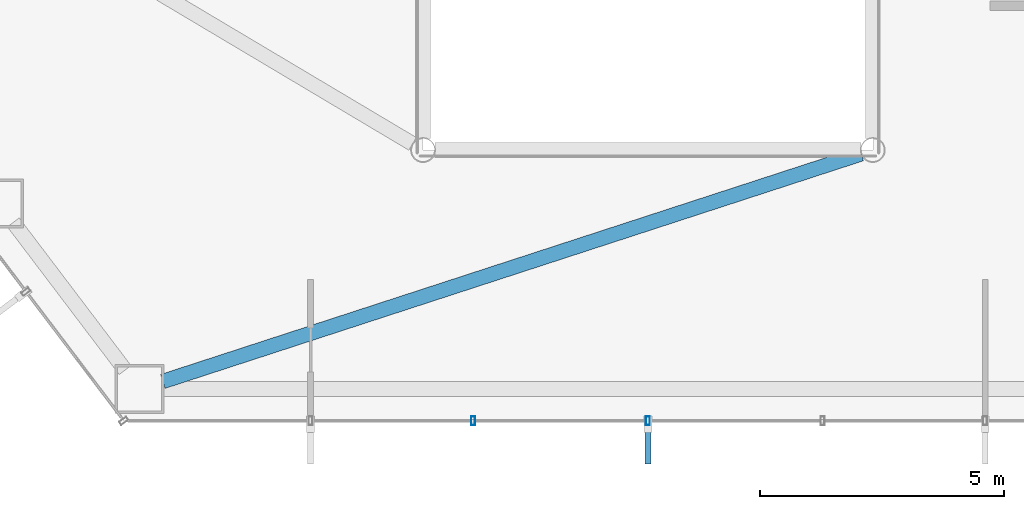
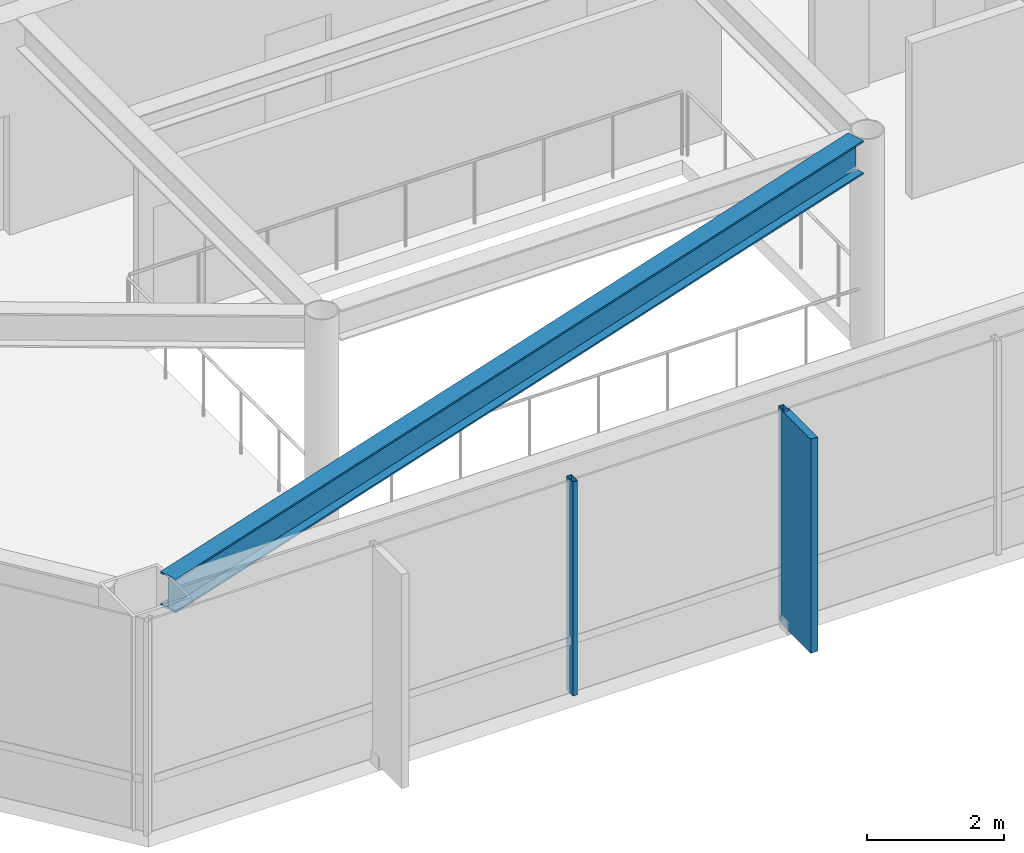
# One storey, part 6 of 25: 3 members, 1 beam, 1 element without a shape of its own.
"""IFC4 building model written with IfcOpenShell, lengths in metres."""

import ifcopenshell
import ifcopenshell.guid

model = None  # the IFC model being written
_history = None  # IfcOwnerHistory: only IFC2X3 demands one
_inside = {}  # id of a spatial element -> (the spatial element, [elements in it])
_under = {}  # id of a project, library or spatial element -> (it, [spatial elements below it])
_declared = {}  # id of a project -> (the project, [libraries it declares])
_typed = {}  # id of a type object -> (the type object, [elements of that type])
_made_of = {}  # id of a material, layer set ... -> (it, [elements and type objects made of it])


def new_model(schema):
    """Start an empty IFC model of exactly this schema.

    Asked for "IFC4X3", IfcOpenShell would pick the latest addendum, in which some entities
    have other attributes; the version numbers below select the first issue.
    IFC2X3 requires an IfcOwnerHistory on every rooted entity: one is made here for all.
    """
    global model, _history
    if schema == "IFC4X3":
        model = ifcopenshell.file(schema_version=(4, 3, 0, 0))
    else:
        model = ifcopenshell.file(schema=schema)
    _inside.clear()
    _under.clear()
    _declared.clear()
    _typed.clear()
    _made_of.clear()
    _history = None
    if model.schema == "IFC2X3":
        org = make("IfcOrganization", Name="unknown")
        user = make(
            "IfcPersonAndOrganization",
            ThePerson=make("IfcPerson", FamilyName="unknown"),
            TheOrganization=org,
        )
        app = make(
            "IfcApplication",
            ApplicationDeveloper=org,
            Version="unknown",
            ApplicationFullName="unknown",
            ApplicationIdentifier="unknown",
        )
        _history = make(
            "IfcOwnerHistory",
            OwningUser=user,
            OwningApplication=app,
            ChangeAction="ADDED",
            CreationDate=0,
        )
    return model


def make(cls, **values):
    """One entity of the class cls with the attributes given. An attribute that is None is left unset."""
    return model.create_entity(
        cls, **{name: value for name, value in values.items() if value is not None}
    )


def rooted(cls, **values):
    """An entity with a GlobalId (a new one), such as an element, a storey or a relation."""
    return make(cls, GlobalId=ifcopenshell.guid.new(), OwnerHistory=_history, **values)


def si_unit(unit_type, name, prefix=None):
    """IfcSIUnit, for example si_unit("LENGTHUNIT", "METRE", prefix="MILLI")."""
    return make("IfcSIUnit", UnitType=unit_type, Prefix=prefix, Name=name)


def assignment(units):
    """IfcUnitAssignment: the units of a project."""
    return None if units is None else make("IfcUnitAssignment", Units=units)


def point(xyz):
    """IfcCartesianPoint."""
    return None if xyz is None else make("IfcCartesianPoint", Coordinates=xyz)


def direction(xyz):
    """IfcDirection."""
    return None if xyz is None else make("IfcDirection", DirectionRatios=xyz)


def frame(location, z_axis=None, x_axis=None):
    """IfcAxis2Placement3D, a coordinate frame: its origin and axes. An axis left out is left unset."""
    return make(
        "IfcAxis2Placement3D",
        Location=point(location),
        Axis=direction(z_axis),
        RefDirection=direction(x_axis),
    )


def frame_2d(location, x_axis=None):
    """IfcAxis2Placement2D, a coordinate frame in the plane: its origin and x axis."""
    return make(
        "IfcAxis2Placement2D", Location=point(location), RefDirection=direction(x_axis)
    )


def origin():
    """The frame at (0, 0, 0) with its axes left unset."""
    return frame((0.0, 0.0, 0.0))


def origin_2d():
    """The frame at (0, 0) in the plane with its x axis left unset."""
    return frame_2d((0.0, 0.0))


def place(relative_to, where):
    """IfcLocalPlacement: puts the frame where relative to a parent placement (None: the world)."""
    return make(
        "IfcLocalPlacement", PlacementRelTo=relative_to, RelativePlacement=where
    )


def context(
    kind, dimensions, precision=None, world=None, true_north=None, identifier=None
):
    """IfcGeometricRepresentationContext, for example the 3D "Model" context."""
    return make(
        "IfcGeometricRepresentationContext",
        ContextIdentifier=identifier,
        ContextType=kind,
        CoordinateSpaceDimension=dimensions,
        Precision=precision,
        WorldCoordinateSystem=world,
        TrueNorth=true_north,
    )


def subcontext(parent, identifier, kind, view, scale=None):
    """IfcGeometricRepresentationSubContext, for example "Body" below "Model"."""
    return make(
        "IfcGeometricRepresentationSubContext",
        ContextIdentifier=identifier,
        ContextType=kind,
        ParentContext=parent,
        TargetScale=scale,
        TargetView=view,
    )


def project(units=None, contexts=None):
    """IfcProject with its units and contexts."""
    return rooted(
        "IfcProject",
        Name="project",
        RepresentationContexts=contexts,
        UnitsInContext=assignment(units),
    )


def spatial(cls, under=None, at=None, **own):
    """A site, building, storey or space (cls), placed at a placement, below another one or the project."""
    s = rooted(cls, ObjectPlacement=at, **own)
    if under is not None:
        _under.setdefault(under.id(), (under, []))[1].append(s)
    return s


def profile(cls, at=None, kind="AREA", **sizes):
    """A parametric profile (cls). Its sizes go by their IFC names, for example OverallWidth=200.0."""
    return make(cls, ProfileType=kind, Position=at, **sizes)


def rectangle(**sizes):
    """IfcRectangleProfileDef."""
    return profile("IfcRectangleProfileDef", **sizes)


def hollow_rectangle(**sizes):
    """IfcRectangleHollowProfileDef."""
    return profile("IfcRectangleHollowProfileDef", **sizes)


def i_section(**sizes):
    """IfcIShapeProfileDef."""
    return profile("IfcIShapeProfileDef", **sizes)


def extrude(swept, where, along, depth):
    """IfcExtrudedAreaSolid: the profile swept, set in the frame where, extruded along a direction by depth."""
    return make(
        "IfcExtrudedAreaSolid",
        SweptArea=swept,
        Position=where,
        ExtrudedDirection=direction(along),
        Depth=depth,
    )


def shape(context_of_items, identifier, shape_type, items):
    """IfcShapeRepresentation: the items that make up one representation, for example the "Body"."""
    return make(
        "IfcShapeRepresentation",
        ContextOfItems=context_of_items,
        RepresentationIdentifier=identifier,
        RepresentationType=shape_type,
        Items=items,
    )


def material(Name=None, Category=None):
    """IfcMaterial."""
    return make("IfcMaterial", Name=Name, Category=Category)


def layer(
    of_material, thickness, ventilated=None, Name=None, Category=None, Priority=None
):
    """IfcMaterialLayer: one layer of a wall or slab, of a material (None: an air gap)."""
    return make(
        "IfcMaterialLayer",
        Material=of_material,
        LayerThickness=thickness,
        IsVentilated=ventilated,
        Name=Name,
        Category=Category,
        Priority=Priority,
    )


def layer_set(layers, Name=None):
    """IfcMaterialLayerSet."""
    return make("IfcMaterialLayerSet", MaterialLayers=layers, LayerSetName=Name)


def material_profile(
    of_material, cross_section, Name=None, Category=None, Priority=None
):
    """IfcMaterialProfile: a cross section and its material."""
    return make(
        "IfcMaterialProfile",
        Name=Name,
        Material=of_material,
        Profile=cross_section,
        Priority=Priority,
        Category=Category,
    )


def profile_set(profiles, Name=None, composite=None):
    """IfcMaterialProfileSet."""
    return make(
        "IfcMaterialProfileSet",
        Name=Name,
        MaterialProfiles=profiles,
        CompositeProfile=composite,
    )


def made_of(thing, what):
    """Note that an element or type object is made of a material, layer set ...; save() writes the relation."""
    if what is not None:
        _made_of.setdefault(what.id(), (what, []))[1].append(thing)
    return thing


def type_object(cls, material=None, **own):
    """A type object (cls), such as IfcWallType, which elements share."""
    return made_of(rooted(cls, **own), material)


def element(
    cls,
    number,
    at=None,
    inside=None,
    cuts=None,
    type_object=None,
    material=None,
    context=None,
    identifier="Body",
    shape_type=None,
    held_by="IfcProductDefinitionShape",
    body=None,
    shapes=None,
    **own,
):
    """One element of the class cls, such as IfcWall. Its Tag is "e" and its number.

    at: its placement. inside: the storey or other place that contains it. cuts: it is an
    opening in that element (IfcRelVoidsElement). A single representation is given by context,
    identifier, shape_type and body (its items); several are given by shapes. held_by: the class
    of the entity that holds the representations. save() writes the other relations.
    """
    e = rooted(cls, Tag="e%d" % number, ObjectPlacement=at, **own)
    if body is not None:
        shapes = [shape(context, identifier, shape_type, body)]
    if shapes is not None:
        e.Representation = make(held_by, Representations=shapes)
    if inside is not None:
        _inside.setdefault(inside.id(), (inside, []))[1].append(e)
    if cuts is not None:
        rooted(
            "IfcRelVoidsElement", RelatingBuildingElement=cuts, RelatedOpeningElement=e
        )
    if type_object is not None:
        _typed.setdefault(type_object.id(), (type_object, []))[1].append(e)
    return made_of(e, material)


def aggregate(whole, parts):
    """IfcRelAggregates: a whole, such as a stair, and the parts it consists of."""
    return rooted("IfcRelAggregates", RelatingObject=whole, RelatedObjects=parts)


def save(model, path):
    """Write the relations noted so far, then the file.

    IfcRelAggregates (storeys below a building ...), IfcRelContainedInSpatialStructure (elements
    in a storey), IfcRelDefinesByType, IfcRelAssociatesMaterial and IfcRelDeclares: one each for
    every whole, place, type object, material and project.
    """
    for whole, parts in _under.values():
        aggregate(whole, parts)
    for where, things in _inside.values():
        rooted(
            "IfcRelContainedInSpatialStructure",
            RelatedElements=things,
            RelatingStructure=where,
        )
    for kind, things in _typed.values():
        rooted("IfcRelDefinesByType", RelatedObjects=things, RelatingType=kind)
    for what, things in _made_of.values():
        rooted("IfcRelAssociatesMaterial", RelatedObjects=things, RelatingMaterial=what)
    for by, libraries in _declared.values():
        rooted("IfcRelDeclares", RelatingContext=by, RelatedDefinitions=libraries)
    model.write(path)


model = new_model("IFC4")

# Units and contexts
model_context = context("Model", 3, precision=1e-05, world=origin(), true_north=direction((0.0, 1.0)))
body_context = subcontext(model_context, "Body", "Model", "MODEL_VIEW")
ifc_project = project(units=[si_unit("LENGTHUNIT", "METRE"), si_unit("AREAUNIT", "SQUARE_METRE"), si_unit("VOLUMEUNIT", "CUBIC_METRE"), si_unit("PLANEANGLEUNIT", "RADIAN"), si_unit("MASSUNIT", "GRAM", prefix="KILO")], contexts=[model_context])

# Site, building, storey
site_placement = place(None, origin())
site = spatial("IfcSite", under=ifc_project, at=site_placement, CompositionType="ELEMENT")
building_placement = place(site_placement, origin())
building = spatial("IfcBuilding", under=site, at=building_placement, Name="Zarrinselat Tower", CompositionType="ELEMENT")
storey_placement = place(building_placement, frame((0.0, 0.0, 56.10009765625)))
storey = spatial("IfcBuildingStorey", under=building, at=storey_placement, Name="L13", CompositionType="ELEMENT", Elevation=56.10009765625)

# Beam
ifc_material_1 = material(Name="Steel S355J2", Category="steel")
ifc_material_profile_1 = material_profile(ifc_material_1, i_section(OverallWidth=0.300048828125, OverallDepth=0.60009765625, WebThickness=0.015380859375, FlangeThickness=0.030029296875, at=origin_2d()), Name="HEB 600")
ifc_profile_set_1 = profile_set([ifc_material_profile_1], Name="Steel S355J2")
beam_type = type_object("IfcBeamType", Name="BM-HEB600", PredefinedType="BEAM", material=ifc_profile_set_1)
beam_placement = place(storey_placement, frame((28.477783203125, 19.667236328125, 3.52001953125), z_axis=(0.950782616269, 0.309858704251, 0.0), x_axis=(-0.309858704251, 0.950782616269, 0.0)))
element("IfcBeam", 1, at=beam_placement, inside=storey, type_object=beam_type, Name="L13 Radial Primary Girder RG10", PredefinedType="BEAM", context=body_context, shape_type="SweptSolid", body=[
    extrude(i_section(OverallWidth=0.300048828125, OverallDepth=0.60009765625, WebThickness=0.015380859375, FlangeThickness=0.030029296875, at=origin_2d()), origin(), (0.0, 0.0, 1.0), 15.02392578125),
])

# Curtain wall, members
ifc_material_2 = material(Name="Extruded Aluminium Alloy EN AW-6063 T6", Category="aluminium")
ifc_layer = layer(ifc_material_2, 0.18505859375)
ifc_layer_set = layer_set([ifc_layer], Name="Extruded Aluminium Alloy EN AW-6063 T6")
curtain_wall_type = type_object("IfcCurtainWallType", Name="CWS-OFF", PredefinedType="NOTDEFINED", material=ifc_layer_set)
curtain_wall_placement = place(storey_placement, origin())
curtain_wall = element("IfcCurtainWall", 2, at=curtain_wall_placement, inside=storey, type_object=curtain_wall_type, Name="L13 Unitised Curtain Wall CW-L13-E04", PredefinedType="NOTDEFINED")
ifc_material_3 = material(Name="Extruded Aluminium Alloy EN AW-6063 T6", Category="aluminium")
ifc_material_profile_2 = material_profile(ifc_material_3, hollow_rectangle(XDim=0.080078125, YDim=0.179931640625, WallThickness=0.0048828125, at=origin_2d()), Name="RHS 180x80x5")
ifc_profile_set_2 = profile_set([ifc_material_profile_2], Name="Extruded Aluminium Alloy EN AW-6063 T6")
member_type_1 = type_object("IfcMemberType", Name="MEM-CW-MUL", PredefinedType="MULLION", material=ifc_profile_set_2)
member_1_placement = place(storey_placement, frame((34.82568359375, 18.86181640625, 0.0), z_axis=(0.0, 0.0, 1.0), x_axis=(1.0, 0.0, 0.0)))
member_1 = element("IfcMember", 3, at=member_1_placement, type_object=member_type_1, Name="CW-L13-E04 Mullion 2", PredefinedType="MULLION", context=body_context, shape_type="SweptSolid", body=[
    extrude(hollow_rectangle(XDim=0.080078125, YDim=0.179931640625, WallThickness=0.0048828125, at=origin_2d()), origin(), (0.0, 0.0, 1.0), 3.81982421875),
])
member_2_placement = place(storey_placement, frame((38.39990234375, 18.86181640625, 0.0), z_axis=(0.0, 0.0, 1.0), x_axis=(1.0, 0.0, 0.0)))
member_2 = element("IfcMember", 4, at=member_2_placement, type_object=member_type_1, Name="CW-L13-E04 Mullion 3", PredefinedType="MULLION", context=body_context, shape_type="SweptSolid", body=[
    extrude(hollow_rectangle(XDim=0.080078125, YDim=0.179931640625, WallThickness=0.0048828125, at=origin_2d()), origin(), (0.0, 0.0, 1.0), 3.81982421875),
])
ifc_material_4 = material(Name="Honed Cream Travertine Stone", Category="masonry")
ifc_material_profile_3 = material_profile(ifc_material_4, rectangle(XDim=0.1201171875, YDim=0.85009765625, at=origin_2d()), Name="FIN 850x120")
ifc_profile_set_3 = profile_set([ifc_material_profile_3], Name="Honed Cream Travertine Stone")
member_type_2 = type_object("IfcMemberType", Name="MEM-STONE-FIN", PredefinedType="USERDEFINED", material=ifc_profile_set_3)
member_3_placement = place(storey_placement, frame((38.39990234375, 18.401611328125, 0.0), z_axis=(0.0, 0.0, 1.0), x_axis=(-1.0, 0.0, 0.0)))
member_3 = element("IfcMember", 5, at=member_3_placement, type_object=member_type_2, Name="L13 Stone Shading Fin CW-L13-E04-03", ObjectType="FIN", PredefinedType="USERDEFINED", context=body_context, shape_type="SweptSolid", body=[
    extrude(rectangle(XDim=0.1201171875, YDim=0.85009765625, at=origin_2d()), origin(), (0.0, 0.0, 1.0), 3.81982421875),
])
aggregate(curtain_wall, [member_1, member_2, member_3])

save(model, "model.ifc")
